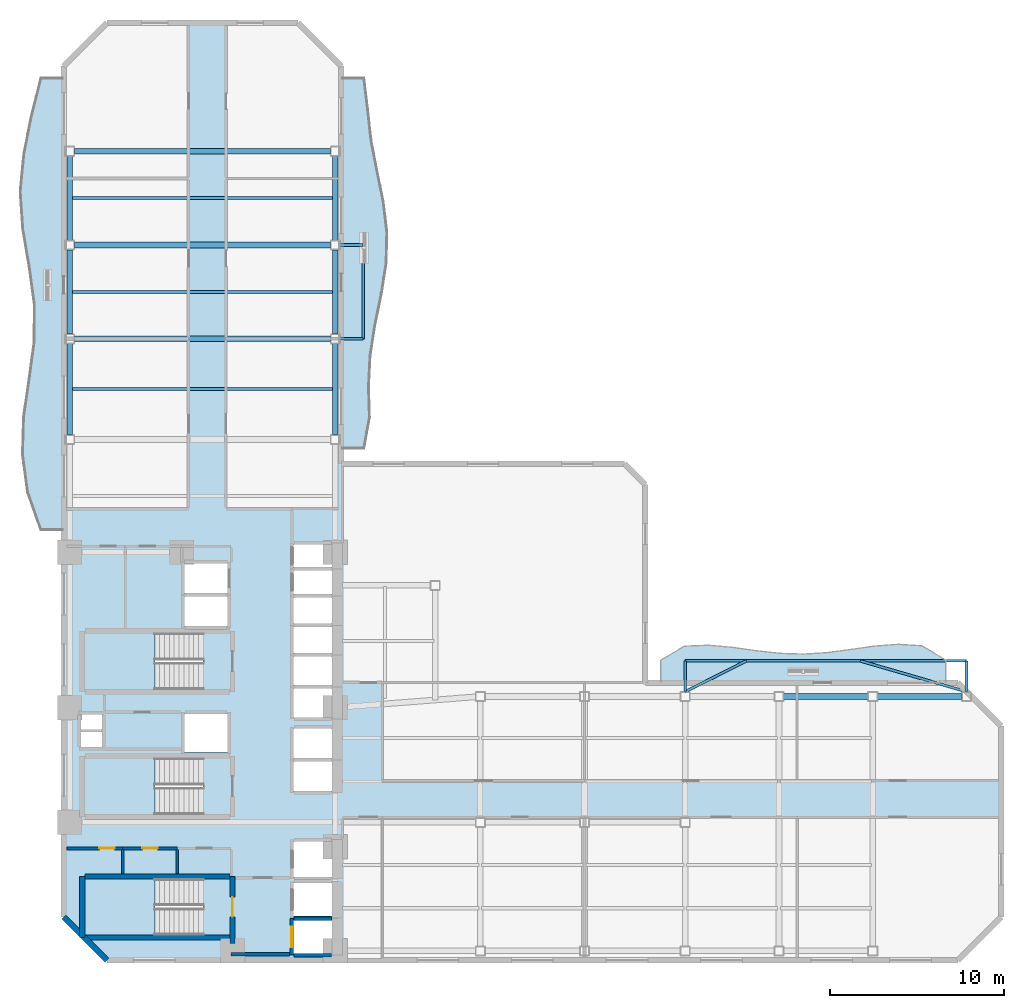
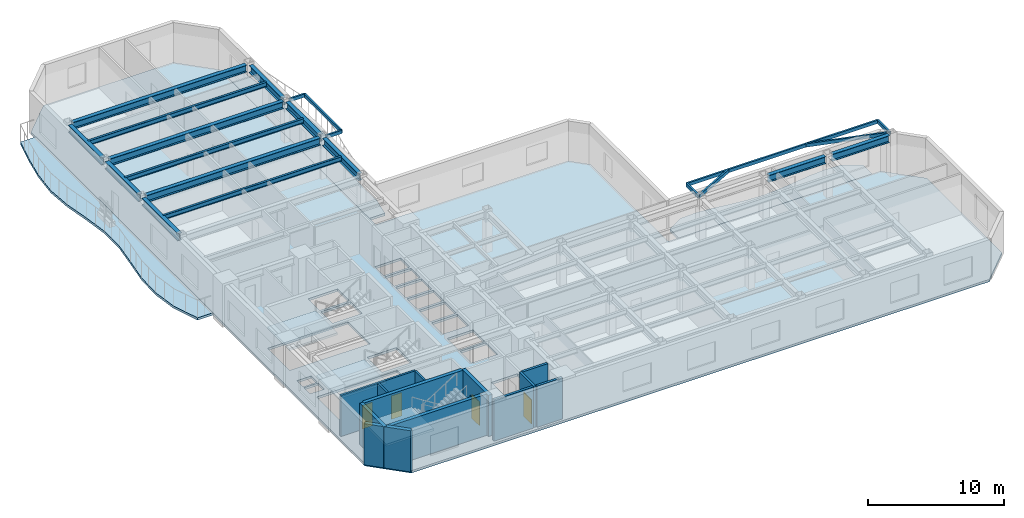
# One storey, part 2 of 10: 22 beams, 13 walls, 7 slabs, 4 doors, 4 openings, 3 elements without a shape of their own.
"""IFC4 building model written with IfcOpenShell, lengths in metres."""

from ifc_helpers import new_model, si_unit, direction, frame, frame_2d, origin, origin_2d, place, context, subcontext, project, spatial, polyline, rectangle, hollow_rectangle, i_section, outline, extrude, material, layer, layer_set, material_profile, profile_set, type_object, element, fill, aggregate, save


model = new_model("IFC4")

# Units and contexts
model_context = context("Model", 3, precision=1e-05, world=origin(), true_north=direction((0.0, 1.0)))
body_context = subcontext(model_context, "Body", "Model", "MODEL_VIEW")
ifc_project = project(units=[si_unit("LENGTHUNIT", "METRE"), si_unit("AREAUNIT", "SQUARE_METRE"), si_unit("VOLUMEUNIT", "CUBIC_METRE"), si_unit("PLANEANGLEUNIT", "RADIAN"), si_unit("MASSUNIT", "GRAM", prefix="KILO")], contexts=[model_context])

# Site, building, storey
site_placement = place(None, origin())
site = spatial("IfcSite", under=ifc_project, at=site_placement, CompositionType="ELEMENT")
building_placement = place(site_placement, origin())
building = spatial("IfcBuilding", under=site, at=building_placement, Name="Mawjaban Terraces University", CompositionType="ELEMENT")
storey_placement = place(building_placement, frame((0.0, 0.0, 34.89990234375)))
storey = spatial("IfcBuildingStorey", under=building, at=storey_placement, Name="L07", CompositionType="ELEMENT", Elevation=34.89990234375)

# Beams
ifc_material_1 = material(Name="Steel EN 10210-1 S355J2H", Category="steel")
ifc_material_profile_1 = material_profile(ifc_material_1, hollow_rectangle(XDim=0.14990234375, YDim=0.300048828125, WallThickness=0.012451171875, at=origin_2d()), Name="RHS300X150X12.5")
ifc_profile_set_1 = profile_set([ifc_material_profile_1], Name="Steel EN 10210-1 S355J2H")
beam_type_1 = type_object("IfcBeamType", Name="BalconyCantileverSpandrel_RHS", PredefinedType="SPANDREL", material=ifc_profile_set_1)
for number, where, z_axis, x_axis, name in (
    (1, (57.800048828125, 15.47509765625, 3.5400390625), (0.0, 1.0, 0.0), (-1.0, 0.0, 0.0), "L07 Exterior Outrigger BAL-L08-N.1"),
    (2, (74.0, 15.47509765625, 3.5400390625), (0.0, 1.0, 0.0), (-1.0, 0.0, 0.0), "L07 Exterior Outrigger BAL-L08-N.2"),
):
    element("IfcBeam", number, at=place(storey_placement, frame(where, z_axis=z_axis, x_axis=x_axis)), inside=storey, type_object=beam_type_1, Name=name, PredefinedType="SPANDREL", context=body_context, shape_type="SweptSolid", body=[
        extrude(hollow_rectangle(XDim=0.14990234375, YDim=0.300048828125, WallThickness=0.012451171875, at=origin_2d()), origin(), (0.0, 0.0, 1.0), 1.77490234375),
    ])
beam_1_placement = place(storey_placement, frame((57.800048828125, 17.25, 3.5400390625), z_axis=(1.0, 0.0, 0.0), x_axis=(0.0, 1.0, 0.0)))
element("IfcBeam", 3, at=beam_1_placement, inside=storey, type_object=beam_type_1, Name="L07 Exterior Edge Spandrel BAL-L08-N", PredefinedType="SPANDREL", context=body_context, shape_type="SweptSolid", body=[
    extrude(hollow_rectangle(XDim=0.14990234375, YDim=0.300048828125, WallThickness=0.012451171875, at=origin_2d()), origin(), (0.0, 0.0, 1.0), 16.199951171875),
])
beam_2_placement = place(storey_placement, frame((57.800048828125, 15.47509765625, 3.5400390625), z_axis=(0.892910985916, 0.450233240922, 0.0), x_axis=(-0.450233240922, 0.892910985916, 0.0)))
element("IfcBeam", 4, at=beam_2_placement, inside=storey, type_object=beam_type_1, Name="L07 Exterior Diagonal Strut BAL-L08-N.1", PredefinedType="SPANDREL", context=body_context, shape_type="SweptSolid", body=[
    extrude(hollow_rectangle(XDim=0.14990234375, YDim=0.300048828125, WallThickness=0.012451171875, at=origin_2d()), origin(), (0.0, 0.0, 1.0), 3.942138671875),
])
beam_3_placement = place(storey_placement, frame((74.0, 15.47509765625, 3.5400390625), z_axis=(-0.960426269064, 0.278534345624, 0.0), x_axis=(-0.278534345624, -0.960426269064, 0.0)))
element("IfcBeam", 5, at=beam_3_placement, inside=storey, type_object=beam_type_1, Name="L07 Exterior Diagonal Strut BAL-L08-N.2", PredefinedType="SPANDREL", context=body_context, shape_type="SweptSolid", body=[
    extrude(hollow_rectangle(XDim=0.14990234375, YDim=0.300048828125, WallThickness=0.012451171875, at=origin_2d()), origin(), (0.0, 0.0, 1.0), 6.372314453125),
])
for number, where, z_axis, x_axis, name in (
    (6, (37.925048828125, 35.800048828125, 3.5400390625), (1.0, 0.0, 0.0), (0.0, 1.0, 0.0), "L07 Exterior Outrigger BAL-L08-E.1"),
    (7, (37.925048828125, 41.199951171875, 3.5400390625), (1.0, 0.0, 0.0), (0.0, 1.0, 0.0), "L07 Exterior Outrigger BAL-L08-E.2"),
):
    element("IfcBeam", number, at=place(storey_placement, frame(where, z_axis=z_axis, x_axis=x_axis)), inside=storey, type_object=beam_type_1, Name=name, PredefinedType="SPANDREL", context=body_context, shape_type="SweptSolid", body=[
        extrude(hollow_rectangle(XDim=0.14990234375, YDim=0.300048828125, WallThickness=0.012451171875, at=origin_2d()), origin(), (0.0, 0.0, 1.0), 1.324951171875),
    ])
beam_4_placement = place(storey_placement, frame((39.25, 35.800048828125, 3.5400390625), z_axis=(0.0, 1.0, 0.0), x_axis=(-1.0, 0.0, 0.0)))
element("IfcBeam", 8, at=beam_4_placement, inside=storey, type_object=beam_type_1, Name="L07 Exterior Edge Spandrel BAL-L08-E", PredefinedType="SPANDREL", context=body_context, shape_type="SweptSolid", body=[
    extrude(hollow_rectangle(XDim=0.14990234375, YDim=0.300048828125, WallThickness=0.012451171875, at=origin_2d()), origin(), (0.0, 0.0, 1.0), 5.39990234375),
])
ifc_material_2 = material(Name="Steel ASTM A572 Grade 50", Category="steel")
ifc_material_profile_2 = material_profile(ifc_material_2, i_section(OverallWidth=0.3291015625, OverallDepth=0.635009765625, WebThickness=0.017822265625, FlangeThickness=0.031005859375, at=origin_2d()), Name="W610X241")
ifc_profile_set_2 = profile_set([ifc_material_profile_2], Name="Steel ASTM A572 Grade 50")
beam_type_2 = type_object("IfcBeamType", Name="Beam_B_W610X241", PredefinedType="BEAM", material=ifc_profile_set_2)
beam_5_placement = place(storey_placement, frame((63.47509765625, 15.199951171875, 3.373046875), z_axis=(1.0, 0.0, 0.0), x_axis=(0.0, 1.0, 0.0)))
element("IfcBeam", 9, at=beam_5_placement, inside=storey, type_object=beam_type_2, Name="L07 Beam BM-L07-EW-12", PredefinedType="BEAM", context=body_context, shape_type="SweptSolid", body=[
    extrude(i_section(OverallWidth=0.3291015625, OverallDepth=0.635009765625, WebThickness=0.017822265625, FlangeThickness=0.031005859375, at=origin_2d()), origin(), (0.0, 0.0, 1.0), 4.849853515625),
])
beam_6_placement = place(storey_placement, frame((68.875, 15.199951171875, 3.373046875), z_axis=(1.0, 0.0, 0.0), x_axis=(0.0, 1.0, 0.0)))
element("IfcBeam", 10, at=beam_6_placement, inside=storey, type_object=beam_type_2, Name="L07 Beam BM-L07-EW-13", PredefinedType="BEAM", context=body_context, shape_type="SweptSolid", body=[
    extrude(i_section(OverallWidth=0.3291015625, OverallDepth=0.635009765625, WebThickness=0.017822265625, FlangeThickness=0.031005859375, at=origin_2d()), origin(), (0.0, 0.0, 1.0), 4.85009765625),
])
for number, where, z_axis, x_axis, name in (
    (11, (22.625, 35.800048828125, 3.373046875), (1.0, 0.0, 0.0), (0.0, 1.0, 0.0), "L07 Beam BM-L07-EW-16"),
    (12, (22.625, 41.199951171875, 3.373046875), (1.0, 0.0, 0.0), (0.0, 1.0, 0.0), "L07 Beam BM-L07-EW-17"),
    (13, (22.625, 46.60009765625, 3.373046875), (1.0, 0.0, 0.0), (0.0, 1.0, 0.0), "L07 Beam BM-L07-EW-18"),
):
    element("IfcBeam", number, at=place(storey_placement, frame(where, z_axis=z_axis, x_axis=x_axis)), inside=storey, type_object=beam_type_2, Name=name, PredefinedType="BEAM", context=body_context, shape_type="SweptSolid", body=[
        extrude(i_section(OverallWidth=0.3291015625, OverallDepth=0.635009765625, WebThickness=0.017822265625, FlangeThickness=0.031005859375, at=origin_2d()), origin(), (0.0, 0.0, 1.0), 14.75),
    ])
beam_7_placement = place(storey_placement, frame((22.35009765625, 30.27490234375, 3.373046875), z_axis=(0.0, 1.0, 0.0), x_axis=(-1.0, 0.0, 0.0)))
element("IfcBeam", 14, at=beam_7_placement, inside=storey, type_object=beam_type_2, Name="L07 Beam BM-L07-NS-04", PredefinedType="BEAM", context=body_context, shape_type="SweptSolid", body=[
    extrude(i_section(OverallWidth=0.3291015625, OverallDepth=0.635009765625, WebThickness=0.017822265625, FlangeThickness=0.031005859375, at=origin_2d()), origin(), (0.0, 0.0, 1.0), 5.25),
])
beam_8_placement = place(storey_placement, frame((22.35009765625, 36.074951171875, 3.373046875), z_axis=(0.0, 1.0, 0.0), x_axis=(-1.0, 0.0, 0.0)))
element("IfcBeam", 15, at=beam_8_placement, inside=storey, type_object=beam_type_2, Name="L07 Beam BM-L07-NS-05", PredefinedType="BEAM", context=body_context, shape_type="SweptSolid", body=[
    extrude(i_section(OverallWidth=0.3291015625, OverallDepth=0.635009765625, WebThickness=0.017822265625, FlangeThickness=0.031005859375, at=origin_2d()), origin(), (0.0, 0.0, 1.0), 4.85009765625),
])
beam_9_placement = place(storey_placement, frame((22.35009765625, 41.47509765625, 3.373046875), z_axis=(0.0, 1.0, 0.0), x_axis=(-1.0, 0.0, 0.0)))
element("IfcBeam", 16, at=beam_9_placement, inside=storey, type_object=beam_type_2, Name="L07 Beam BM-L07-NS-06", PredefinedType="BEAM", context=body_context, shape_type="SweptSolid", body=[
    extrude(i_section(OverallWidth=0.3291015625, OverallDepth=0.635009765625, WebThickness=0.017822265625, FlangeThickness=0.031005859375, at=origin_2d()), origin(), (0.0, 0.0, 1.0), 4.849853515625),
])
beam_10_placement = place(storey_placement, frame((37.64990234375, 30.27490234375, 3.373046875), z_axis=(0.0, 1.0, 0.0), x_axis=(-1.0, 0.0, 0.0)))
element("IfcBeam", 17, at=beam_10_placement, inside=storey, type_object=beam_type_2, Name="L07 Beam BM-L07-NS-11", PredefinedType="BEAM", context=body_context, shape_type="SweptSolid", body=[
    extrude(i_section(OverallWidth=0.3291015625, OverallDepth=0.635009765625, WebThickness=0.017822265625, FlangeThickness=0.031005859375, at=origin_2d()), origin(), (0.0, 0.0, 1.0), 5.25),
])
beam_11_placement = place(storey_placement, frame((37.64990234375, 36.074951171875, 3.373046875), z_axis=(0.0, 1.0, 0.0), x_axis=(-1.0, 0.0, 0.0)))
element("IfcBeam", 18, at=beam_11_placement, inside=storey, type_object=beam_type_2, Name="L07 Beam BM-L07-NS-12", PredefinedType="BEAM", context=body_context, shape_type="SweptSolid", body=[
    extrude(i_section(OverallWidth=0.3291015625, OverallDepth=0.635009765625, WebThickness=0.017822265625, FlangeThickness=0.031005859375, at=origin_2d()), origin(), (0.0, 0.0, 1.0), 4.85009765625),
])
beam_12_placement = place(storey_placement, frame((37.64990234375, 41.47509765625, 3.373046875), z_axis=(0.0, 1.0, 0.0), x_axis=(-1.0, 0.0, 0.0)))
element("IfcBeam", 19, at=beam_12_placement, inside=storey, type_object=beam_type_2, Name="L07 Beam BM-L07-NS-13", PredefinedType="BEAM", context=body_context, shape_type="SweptSolid", body=[
    extrude(i_section(OverallWidth=0.3291015625, OverallDepth=0.635009765625, WebThickness=0.017822265625, FlangeThickness=0.031005859375, at=origin_2d()), origin(), (0.0, 0.0, 1.0), 4.849853515625),
])
ifc_material_profile_3 = material_profile(ifc_material_2, i_section(OverallWidth=0.179931640625, OverallDepth=0.4130859375, WebThickness=0.009765625, FlangeThickness=0.01611328125, at=origin_2d()), Name="W410X74")
ifc_profile_set_3 = profile_set([ifc_material_profile_3], Name="Steel ASTM A572 Grade 50")
beam_type_3 = type_object("IfcBeamType", Name="Beam_J_W410X74", PredefinedType="JOIST", material=ifc_profile_set_3)
for number, where, z_axis, x_axis, name in (
    (20, (22.429931640625, 32.89990234375, 3.484130859375), (1.0, 0.0, 0.0), (0.0, 1.0, 0.0), "L07 Composite Joist JST-L07-23"),
    (21, (22.429931640625, 38.5, 3.484130859375), (1.0, 0.0, 0.0), (0.0, 1.0, 0.0), "L07 Composite Joist JST-L07-24"),
    (22, (22.429931640625, 43.89990234375, 3.484130859375), (1.0, 0.0, 0.0), (0.0, 1.0, 0.0), "L07 Composite Joist JST-L07-25"),
):
    element("IfcBeam", number, at=place(storey_placement, frame(where, z_axis=z_axis, x_axis=x_axis)), inside=storey, type_object=beam_type_3, Name=name, PredefinedType="JOIST", context=body_context, shape_type="SweptSolid", body=[
        extrude(i_section(OverallWidth=0.179931640625, OverallDepth=0.4130859375, WebThickness=0.009765625, FlangeThickness=0.01611328125, at=origin_2d()), origin(), (0.0, 0.0, 1.0), 15.14013671875),
    ])

# Slabs
ifc_material_3 = material(Name="Concrete C40/50", Category="concrete")
ifc_layer_1 = layer(ifc_material_3, 0.2099609375)
ifc_layer_set_1 = layer_set([ifc_layer_1], Name="Concrete C40/50")
slab_type_1 = type_object("IfcSlabType", Name="BalconySlab_210_Ext", PredefinedType="FLOOR", material=ifc_layer_set_1)
slab_1_placement = place(storey_placement, frame((0.0, 0.0, -0.2099609375)))
element("IfcSlab", 23, at=slab_1_placement, inside=storey, type_object=slab_type_1, Name="L07 Planted Balcony Slab west", PredefinedType="FLOOR", context=body_context, shape_type="SweptSolid", body=[
    extrude(outline(polyline([(22.010009765625, 24.800048828125), (22.010009765625, 50.800048828125), (20.699951171875, 50.800048828125), (20.154052734375, 48.633056640625), (19.722900390625, 46.467041015625), (19.512939453125, 44.300048828125), (19.656982421875, 42.133056640625), (20.027099609375, 39.967041015625), (20.323974609375, 37.800048828125), (20.31494140625, 35.633056640625), (20.02197265625, 33.467041015625), (19.7041015625, 31.300048828125), (19.64404296875, 29.133056640625), (19.93701171875, 26.967041015625), (20.699951171875, 24.800048828125), (22.010009765625, 24.800048828125)])), origin(), (0.0, 0.0, 1.0), 0.2099609375),
])
slab_2_placement = place(storey_placement, frame((0.0, 0.0, -0.2099609375)))
element("IfcSlab", 24, at=slab_2_placement, inside=storey, type_object=slab_type_1, Name="L07 Planted Balcony Slab inner_north", PredefinedType="FLOOR", context=body_context, shape_type="SweptSolid", body=[
    extrude(outline(polyline([(56.39990234375, 15.989990234375), (72.800048828125, 15.989990234375), (72.800048828125, 17.300048828125), (71.43310546875, 18.118896484375), (70.06689453125, 18.2041015625), (68.699951171875, 18.10009765625), (67.3330078125, 17.906982421875), (65.967041015625, 17.72509765625), (64.60009765625, 17.638916015625), (63.23291015625, 17.68505859375), (61.866943359375, 17.840087890625), (60.5, 18.030029296875), (59.133056640625, 18.152099609375), (57.76708984375, 18.096923828125), (56.39990234375, 17.300048828125), (56.39990234375, 15.989990234375)])), origin(), (0.0, 0.0, 1.0), 0.2099609375),
])
slab_3_placement = place(storey_placement, frame((0.0, 0.0, -0.2099609375)))
element("IfcSlab", 25, at=slab_3_placement, inside=storey, type_object=slab_type_1, Name="L07 Planted Balcony Slab inner_east", PredefinedType="FLOOR", context=body_context, shape_type="SweptSolid", body=[
    extrude(outline(polyline([(39.300048828125, 29.5), (39.623046875, 31.27490234375), (39.571044921875, 33.050048828125), (39.657958984375, 34.824951171875), (39.93603515625, 36.60009765625), (40.302001953125, 38.375), (40.5810546875, 40.14990234375), (40.626953125, 41.925048828125), (40.4150390625, 43.699951171875), (40.052001953125, 45.47509765625), (39.7099609375, 47.25), (39.51611328125, 49.02490234375), (39.300048828125, 50.800048828125), (37.989990234375, 50.800048828125), (37.989990234375, 29.5), (39.300048828125, 29.5)])), origin(), (0.0, 0.0, 1.0), 0.2099609375),
])
ifc_layer_2 = layer(ifc_material_3, 0.2099609375)
ifc_layer_set_2 = layer_set([ifc_layer_2], Name="Concrete C40/50")
slab_type_2 = type_object("IfcSlabType", Name="CompositeSlab_210", PredefinedType="FLOOR", material=ifc_layer_set_2)
slab_4_placement = place(storey_placement, frame((0.0, 0.0, -0.2099609375)))
element("IfcSlab", 26, at=slab_4_placement, inside=storey, type_object=slab_type_2, Name="L07 Primary Structural Slab", PredefinedType="FLOOR", context=body_context, shape_type="SweptSolid", body=[
    extrude(outline(polyline([(24.5, 0.0), (73.5, 0.0), (76.0, 2.5), (76.0, 13.5), (73.5, 16.0), (55.5, 16.0), (55.5, 27.39990234375), (54.300048828125, 28.60009765625), (38.0, 28.60009765625), (38.0, 51.5), (35.5, 54.0), (24.5, 54.0), (22.0, 51.5), (22.0, 2.5), (24.5, 0.0)]), holes=[polyline([(30.014892578125, 4.699951171875), (23.199951171875, 4.699951171875), (23.199951171875, 1.449951171875), (30.014892578125, 1.449951171875), (30.014892578125, 4.699951171875)]), polyline([(30.014892578125, 18.85009765625), (23.199951171875, 18.85009765625), (23.199951171875, 15.60009765625), (30.014892578125, 15.60009765625), (30.014892578125, 18.85009765625)]), polyline([(30.014892578125, 11.64990234375), (23.199951171875, 11.64990234375), (23.199951171875, 8.39990234375), (30.014892578125, 8.39990234375), (30.014892578125, 11.64990234375)]), polyline([(35.25, 0.39990234375), (37.449951171875, 0.39990234375), (37.449951171875, 2.300048828125), (35.25, 2.300048828125), (35.25, 0.39990234375)]), polyline([(35.25, 2.550048828125), (37.449951171875, 2.550048828125), (37.449951171875, 4.449951171875), (35.25, 4.449951171875), (35.25, 2.550048828125)]), polyline([(35.25, 4.800048828125), (37.449951171875, 4.800048828125), (37.449951171875, 6.85009765625), (35.25, 6.85009765625), (35.25, 4.800048828125)]), polyline([(35.25, 9.75), (37.449951171875, 9.75), (37.449951171875, 11.449951171875), (35.25, 11.449951171875), (35.25, 9.75)]), polyline([(35.25, 11.64990234375), (37.449951171875, 11.64990234375), (37.449951171875, 13.35009765625), (35.25, 13.35009765625), (35.25, 11.64990234375)]), polyline([(28.949951171875, 12.0), (31.449951171875, 12.0), (31.449951171875, 14.199951171875), (28.949951171875, 14.199951171875), (28.949951171875, 12.0)]), polyline([(35.25, 14.0), (37.449951171875, 14.0), (37.449951171875, 15.64990234375), (35.25, 15.64990234375), (35.25, 14.0)]), polyline([(35.25, 15.85009765625), (37.449951171875, 15.85009765625), (37.449951171875, 17.5), (35.25, 17.5), (35.25, 15.85009765625)]), polyline([(35.25, 17.699951171875), (37.449951171875, 17.699951171875), (37.449951171875, 19.199951171875), (35.25, 19.199951171875), (35.25, 17.699951171875)]), polyline([(35.25, 19.39990234375), (37.449951171875, 19.39990234375), (37.449951171875, 20.89990234375), (35.25, 20.89990234375), (35.25, 19.39990234375)]), polyline([(28.949951171875, 19.25), (31.449951171875, 19.25), (31.449951171875, 20.949951171875), (28.949951171875, 20.949951171875), (28.949951171875, 19.25)]), polyline([(35.25, 21.10009765625), (37.449951171875, 21.10009765625), (37.449951171875, 22.449951171875), (35.25, 22.449951171875), (35.25, 21.10009765625)]), polyline([(35.25, 22.64990234375), (37.449951171875, 22.64990234375), (37.449951171875, 23.949951171875), (35.25, 23.949951171875), (35.25, 22.64990234375)]), polyline([(28.949951171875, 21.14990234375), (31.449951171875, 21.14990234375), (31.449951171875, 22.85009765625), (28.949951171875, 22.85009765625), (28.949951171875, 21.14990234375)]), polyline([(23.0, 12.25), (24.199951171875, 12.25), (24.199951171875, 13.14990234375), (23.0, 13.14990234375), (23.0, 12.25)]), polyline([(23.0, 13.300048828125), (24.199951171875, 13.300048828125), (24.199951171875, 14.179931640625), (23.0, 14.179931640625), (23.0, 13.300048828125)])]), origin(), (0.0, 0.0, 1.0), 0.2099609375),
])

# Stair, slab
stair_type = type_object("IfcStairType", Name="Stair_Core1550_H39", PredefinedType="HALF_TURN_STAIR", material=ifc_material_3)
stair_1_placement = place(storey_placement, origin())
stair_1 = element("IfcStair", 27, at=stair_1_placement, inside=storey, type_object=stair_type, Name="L07 Core Exit Stair 1", PredefinedType="HALF_TURN_STAIR")
ifc_layer_3 = layer(ifc_material_3, 0.199951171875)
ifc_layer_set_3 = layer_set([ifc_layer_3], Name="Concrete C40/50")
slab_type_3 = type_object("IfcSlabType", Name="StairLandingSlab_200", PredefinedType="LANDING", material=ifc_layer_set_3)
slab_5_placement = place(storey_placement, frame((0.0, 0.0, 1.75)))
slab_5 = element("IfcSlab", 28, at=slab_5_placement, type_object=slab_type_3, Name="ST-1 landing 1", PredefinedType="LANDING", context=body_context, shape_type="SweptSolid", body=[
    extrude(outline(polyline([(27.25, 4.699951171875), (23.199951171875, 4.699951171875), (23.199951171875, 1.449951171875), (27.25, 1.449951171875), (27.25, 4.699951171875)])), origin(), (0.0, 0.0, 1.0), 0.2001953125),
])
aggregate(stair_1, [slab_5])

stair_2_placement = place(storey_placement, origin())
stair_2 = element("IfcStair", 29, at=stair_2_placement, inside=storey, type_object=stair_type, Name="L07 Core Exit Stair 2", PredefinedType="HALF_TURN_STAIR")
slab_6_placement = place(storey_placement, frame((0.0, 0.0, 1.75)))
slab_6 = element("IfcSlab", 30, at=slab_6_placement, type_object=slab_type_3, Name="ST-2 landing 1", PredefinedType="LANDING", context=body_context, shape_type="SweptSolid", body=[
    extrude(outline(polyline([(27.25, 18.85009765625), (23.199951171875, 18.85009765625), (23.199951171875, 15.60009765625), (27.25, 15.60009765625), (27.25, 18.85009765625)])), origin(), (0.0, 0.0, 1.0), 0.2001953125),
])
aggregate(stair_2, [slab_6])

stair_3_placement = place(storey_placement, origin())
stair_3 = element("IfcStair", 31, at=stair_3_placement, inside=storey, type_object=stair_type, Name="L07 Core Exit Stair 3", PredefinedType="HALF_TURN_STAIR")
slab_7_placement = place(storey_placement, frame((0.0, 0.0, 1.75)))
slab_7 = element("IfcSlab", 32, at=slab_7_placement, type_object=slab_type_3, Name="ST-3 landing 1", PredefinedType="LANDING", context=body_context, shape_type="SweptSolid", body=[
    extrude(outline(polyline([(27.25, 11.64990234375), (23.199951171875, 11.64990234375), (23.199951171875, 8.39990234375), (27.25, 8.39990234375), (27.25, 11.64990234375)])), origin(), (0.0, 0.0, 1.0), 0.2001953125),
])
aggregate(stair_3, [slab_7])

# Wall, opening, door
ifc_material_4 = material(Name="Fire-rated gypsum board on steel stud", Category="steel")
ifc_layer_4 = layer(ifc_material_4, 0.159912109375)
ifc_layer_set_4 = layer_set([ifc_layer_4], Name="Fire-rated gypsum board on steel stud")
wall_type_1 = type_object("IfcWallType", Name="CorridorPartition_160", PredefinedType="PARTITIONING", material=ifc_layer_set_4)
wall_1_placement = place(storey_placement, frame((22.199951171875, 6.449951171875, 0.0), z_axis=(0.0, 0.0, 1.0), x_axis=(1.0, 0.0, 0.0)))
wall_1 = element("IfcWall", 33, at=wall_1_placement, inside=storey, type_object=wall_type_1, Name="L07 Core Washroom Lobby Partition 1", PredefinedType="PARTITIONING", context=body_context, shape_type="SweptSolid", body=[
    extrude(rectangle(XDim=3.199951171875, YDim=0.159912109375, at=frame_2d((1.60009765625, 0.0))), origin(), (0.0, 0.0, 1.0), 3.690185546875),
])
opening_1_placement = place(wall_1_placement, frame((1.860107421875, 0.0, 0.0)))
opening_1 = element("IfcOpeningElement", 34, at=opening_1_placement, cuts=wall_1, Name="Opening ID-088", PredefinedType="OPENING", context=body_context, shape_type="SweptSolid", body=[
    extrude(rectangle(XDim=0.8798828125, YDim=2.10009765625, at=frame_2d((0.43994140625, 1.050048828125))), frame((0.0, 0.08984375, 0.0), z_axis=(0.0, -1.0, 0.0), x_axis=(1.0, 0.0, 0.0)), (0.0, 0.0, 1.0), 0.179931640625),
])
ifc_material_5 = material(Name="Powder-coated steel frame and solid acoustic timber leaf", Category="steel")
door_type_1 = type_object("IfcDoorType", Name="ToiletDoor_880x2100", OperationType="NOTDEFINED", PredefinedType="DOOR", material=ifc_material_5)
door_1_placement = place(opening_1_placement, origin())
door_1 = element("IfcDoor", 35, at=door_1_placement, inside=storey, type_object=door_type_1, Name="L07 Male Toilet Door", OperationType="SINGLE_SWING_RIGHT", OverallHeight=2.10009765625, OverallWidth=0.8798828125, PredefinedType="DOOR", context=body_context, shape_type="SweptSolid", body=[
    extrude(rectangle(XDim=0.8798828125, YDim=2.10009765625, at=frame_2d((0.43994140625, 1.050048828125))), frame((0.0, 0.02490234375, 0.0), z_axis=(0.0, -1.0, 0.0), x_axis=(1.0, 0.0, 0.0)), (0.0, 0.0, 1.0), 0.050048828125),
])
fill(opening_1, door_1)

wall_2_placement = place(storey_placement, frame((25.39990234375, 6.449951171875, 0.0), z_axis=(0.0, 0.0, 1.0), x_axis=(1.0, 0.0, 0.0)))
wall_2 = element("IfcWall", 36, at=wall_2_placement, inside=storey, type_object=wall_type_1, Name="L07 Core Washroom Lobby Partition 4", PredefinedType="PARTITIONING", context=body_context, shape_type="SweptSolid", body=[
    extrude(rectangle(XDim=3.150146484375, YDim=0.159912109375, at=frame_2d((1.5751953125, 0.0))), origin(), (0.0, 0.0, 1.0), 3.690185546875),
])
opening_2_placement = place(wall_2_placement, frame((1.135009765625, 0.0, 0.0)))
opening_2 = element("IfcOpeningElement", 37, at=opening_2_placement, cuts=wall_2, Name="Opening ID-088", PredefinedType="OPENING", context=body_context, shape_type="SweptSolid", body=[
    extrude(rectangle(XDim=0.8798828125, YDim=2.10009765625, at=frame_2d((0.43994140625, 1.050048828125))), frame((0.0, 0.08984375, 0.0), z_axis=(0.0, -1.0, 0.0), x_axis=(1.0, 0.0, 0.0)), (0.0, 0.0, 1.0), 0.179931640625),
])
door_2_placement = place(opening_2_placement, origin())
door_2 = element("IfcDoor", 38, at=door_2_placement, inside=storey, type_object=door_type_1, Name="L07 Female Toilet Door", OperationType="SINGLE_SWING_LEFT", OverallHeight=2.10009765625, OverallWidth=0.8798828125, PredefinedType="DOOR", context=body_context, shape_type="SweptSolid", body=[
    extrude(rectangle(XDim=0.8798828125, YDim=2.10009765625, at=frame_2d((0.43994140625, 1.050048828125))), frame((0.0, 0.02490234375, 0.0), z_axis=(0.0, -1.0, 0.0), x_axis=(1.0, 0.0, 0.0)), (0.0, 0.0, 1.0), 0.050048828125),
])
fill(opening_2, door_2)

# Wall
ifc_material_6 = material(Name="Insulated terracotta rainscreen on concrete backup C40/50", Category="masonry")
ifc_layer_5 = layer(ifc_material_6, 0.320068359375)
ifc_layer_set_5 = layer_set([ifc_layer_5], Name="Insulated terracotta rainscreen on concrete backup C40/50")
wall_type_2 = type_object("IfcWallType", Name="ExtTerracottaWall_320", PredefinedType="SOLIDWALL", material=ifc_layer_set_5)
wall_3_placement = place(storey_placement, frame((22.0, 2.5, 0.0), z_axis=(0.0, 0.0, 1.0), x_axis=(0.707106781187, -0.707106781187, 0.0)))
element("IfcWall", 39, at=wall_3_placement, inside=storey, type_object=wall_type_2, Name="L07 Exterior Terracotta Wall 14", PredefinedType="SOLIDWALL", context=body_context, shape_type="SweptSolid", body=[
    extrude(rectangle(XDim=3.53564453125, YDim=0.320068359375, at=frame_2d((1.767822265625, 0.0))), origin(), (0.0, 0.0, 1.0), 3.690185546875),
])

# Wall, opening, door
ifc_layer_6 = layer(ifc_material_3, 0.199951171875)
ifc_layer_set_6 = layer_set([ifc_layer_6], Name="Concrete C40/50")
wall_type_3 = type_object("IfcWallType", Name="FireLobbyWall_200", PredefinedType="SOLIDWALL", material=ifc_layer_set_6)
wall_4_placement = place(storey_placement, frame((35.14990234375, 2.39990234375, 0.0), z_axis=(0.0, 0.0, 1.0), x_axis=(0.0, -1.0, 0.0)))
wall_4 = element("IfcWall", 40, at=wall_4_placement, inside=storey, type_object=wall_type_3, Name="L07 Lift FL-1 Hoistway Wall West", PredefinedType="SOLIDWALL", context=body_context, shape_type="SweptSolid", body=[
    extrude(rectangle(XDim=2.099853515625, YDim=0.199951171875, at=frame_2d((1.0498046875, 0.0))), origin(), (0.0, 0.0, 1.0), 3.690185546875),
])
opening_3_placement = place(wall_4_placement, frame((0.449951171875, 0.0, 0.0)))
opening_3 = element("IfcOpeningElement", 41, at=opening_3_placement, cuts=wall_4, Name="Opening LD-FL-1", PredefinedType="OPENING", context=body_context, shape_type="SweptSolid", body=[
    extrude(rectangle(XDim=1.199951171875, YDim=2.14990234375, at=frame_2d((0.60009765625, 1.074951171875))), frame((0.0, 0.10986328125, 0.0), z_axis=(0.0, -1.0, 0.0), x_axis=(1.0, 0.0, 0.0)), (0.0, 0.0, 1.0), 0.219970703125),
])
ifc_material_7 = material(Name="Powder-coated steel frame and fire-rated steel-faced leaf", Category="steel")
door_type_2 = type_object("IfcDoorType", Name="LiftLandingFSAE_1200x2150", OperationType="NOTDEFINED", PredefinedType="DOOR", material=ifc_material_7)
door_3_placement = place(opening_3_placement, origin())
door_3 = element("IfcDoor", 42, at=door_3_placement, inside=storey, type_object=door_type_2, Name="L07 Lift FL-1 Sliding Landing Door", OperationType="DOUBLE_DOOR_SLIDING", OverallHeight=2.14990234375, OverallWidth=1.199951171875, PredefinedType="DOOR", context=body_context, shape_type="SweptSolid", body=[
    extrude(rectangle(XDim=1.199951171875, YDim=2.14990234375, at=frame_2d((0.60009765625, 1.074951171875))), frame((0.0, 0.02490234375, 0.0), z_axis=(0.0, -1.0, 0.0), x_axis=(1.0, 0.0, 0.0)), (0.0, 0.0, 1.0), 0.050048828125),
])
fill(opening_3, door_3)

# Walls
for number, where, z_axis, x_axis, name in (
    (43, (35.280029296875, 0.300048828125, 0.0), (0.0, 0.0, 1.0), (1.0, 0.0, 0.0), "L07 Lift FL-1 Hoistway Wall South"),
    (44, (37.419921875, 2.39990234375, 0.0), (0.0, 0.0, 1.0), (-1.0, 0.0, 0.0), "L07 Lift FL-1 Hoistway Wall North"),
):
    element("IfcWall", number, at=place(storey_placement, frame(where, z_axis=z_axis, x_axis=x_axis)), inside=storey, type_object=wall_type_3, Name=name, PredefinedType="SOLIDWALL", context=body_context, shape_type="SweptSolid", body=[
        extrude(rectangle(XDim=2.139892578125, YDim=0.199951171875, at=frame_2d((1.06982421875, 0.0))), origin(), (0.0, 0.0, 1.0), 3.690185546875),
    ])
wall_5_placement = place(storey_placement, frame((31.64990234375, 0.35009765625, 0.0), z_axis=(0.0, 0.0, 1.0), x_axis=(1.0, 0.0, 0.0)))
element("IfcWall", 45, at=wall_5_placement, inside=storey, type_object=wall_type_3, Name="L07 Firefighting Lift Lobby Partition 12", PredefinedType="SOLIDWALL", context=body_context, shape_type="SweptSolid", body=[
    extrude(rectangle(XDim=3.3701171875, YDim=0.199951171875, at=frame_2d((1.68505859375, 0.0))), origin(), (0.0, 0.0, 1.0), 3.690185546875),
])
ifc_material_8 = material(Name="Concrete C60/75", Category="concrete")
ifc_layer_7 = layer(ifc_material_8, 0.300048828125)
ifc_layer_set_7 = layer_set([ifc_layer_7], Name="Concrete C60/75")
wall_type_4 = type_object("IfcWallType", Name="StairShaftWall_300", PredefinedType="SHEAR", material=ifc_layer_set_7)
wall_6_placement = place(storey_placement, frame((31.580078125, 4.830078125, 0.0), z_axis=(0.0, 0.0, 1.0), x_axis=(-1.0, 0.0, 0.0)))
element("IfcWall", 46, at=wall_6_placement, inside=storey, type_object=wall_type_4, Name="L07 ST-1 Stair Shaft Wall 1", PredefinedType="SHEAR", context=body_context, shape_type="SweptSolid", body=[
    extrude(rectangle(XDim=8.360107421875, YDim=0.300048828125, at=frame_2d((4.18017578125, 0.0))), origin(), (0.0, 0.0, 1.0), 3.690185546875),
])
wall_7_placement = place(storey_placement, frame((23.070068359375, 4.830078125, 0.0), z_axis=(0.0, 0.0, 1.0), x_axis=(0.0, -1.0, 0.0)))
element("IfcWall", 47, at=wall_7_placement, inside=storey, type_object=wall_type_4, Name="L07 ST-1 Stair Shaft Wall 2", PredefinedType="SHEAR", context=body_context, shape_type="SweptSolid", body=[
    extrude(rectangle(XDim=3.510009765625, YDim=0.300048828125, at=frame_2d((1.7548828125, 0.0))), origin(), (0.0, 0.0, 1.0), 3.690185546875),
])
wall_8_placement = place(storey_placement, frame((23.219970703125, 1.320068359375, 0.0), z_axis=(0.0, 0.0, 1.0), x_axis=(1.0, 0.0, 0.0)))
element("IfcWall", 48, at=wall_8_placement, inside=storey, type_object=wall_type_4, Name="L07 ST-1 Stair Shaft Wall 3", PredefinedType="SHEAR", context=body_context, shape_type="SweptSolid", body=[
    extrude(rectangle(XDim=8.360107421875, YDim=0.300048828125, at=frame_2d((4.18017578125, 0.0))), origin(), (0.0, 0.0, 1.0), 3.690185546875),
])

# Wall, opening, door
wall_9_placement = place(storey_placement, frame((31.72998046875, 0.9599609375, 0.0), z_axis=(0.0, 0.0, 1.0), x_axis=(0.0, 1.0, 0.0)))
wall_9 = element("IfcWall", 49, at=wall_9_placement, inside=storey, type_object=wall_type_4, Name="L07 ST-1 Stair Shaft Wall 4", PredefinedType="SHEAR", context=body_context, shape_type="SweptSolid", body=[
    extrude(rectangle(XDim=3.8701171875, YDim=0.300048828125, at=frame_2d((1.93505859375, 0.0))), origin(), (0.0, 0.0, 1.0), 3.690185546875),
])
opening_4_placement = place(wall_9_placement, frame((1.5400390625, 0.0, 0.0)))
opening_4 = element("IfcOpeningElement", 50, at=opening_4_placement, cuts=wall_9, Name="Opening FD-115", PredefinedType="OPENING", context=body_context, shape_type="SweptSolid", body=[
    extrude(rectangle(XDim=1.14990234375, YDim=2.14990234375, at=frame_2d((0.574951171875, 1.074951171875))), frame((0.0, 0.159912109375, 0.0), z_axis=(0.0, -1.0, 0.0), x_axis=(1.0, 0.0, 0.0)), (0.0, 0.0, 1.0), 0.320068359375),
])
door_type_3 = type_object("IfcDoorType", Name="FireStairDoor_1150x2150", OperationType="NOTDEFINED", PredefinedType="DOOR", material=ifc_material_7)
door_4_placement = place(opening_4_placement, origin())
door_4 = element("IfcDoor", 51, at=door_4_placement, inside=storey, type_object=door_type_3, Name="L07 ST-1 Pressurised Stair Fire Door", OperationType="SINGLE_SWING_RIGHT", OverallHeight=2.14990234375, OverallWidth=1.14990234375, PredefinedType="DOOR", context=body_context, shape_type="SweptSolid", body=[
    extrude(rectangle(XDim=1.14990234375, YDim=2.14990234375, at=frame_2d((0.574951171875, 1.074951171875))), frame((0.0, 0.02490234375, 0.0), z_axis=(0.0, -1.0, 0.0), x_axis=(1.0, 0.0, 0.0)), (0.0, 0.0, 1.0), 0.050048828125),
])
fill(opening_4, door_4)

# Walls
ifc_material_9 = material(Name="Cement-board wet-room partition", Category="masonry")
ifc_layer_8 = layer(ifc_material_9, 0.135009765625)
ifc_layer_set_8 = layer_set([ifc_layer_8], Name="Cement-board wet-room partition")
wall_type_5 = type_object("IfcWallType", Name="WetRoomPartition_135", PredefinedType="PARTITIONING", material=ifc_layer_set_8)
for number, where, z_axis, x_axis, name in (
    (52, (25.39990234375, 5.010009765625, 0.0), (0.0, 0.0, 1.0), (0.0, 1.0, 0.0), "L07 Male Toilet Partition 29"),
    (53, (28.550048828125, 5.010009765625, 0.0), (0.0, 0.0, 1.0), (0.0, 1.0, 0.0), "L07 Female Toilet Partition 31"),
):
    element("IfcWall", number, at=place(storey_placement, frame(where, z_axis=z_axis, x_axis=x_axis)), inside=storey, type_object=wall_type_5, Name=name, PredefinedType="PARTITIONING", context=body_context, shape_type="SweptSolid", body=[
        extrude(rectangle(XDim=1.364990234375, YDim=0.135009765625, at=frame_2d((0.6826171875, 0.0))), origin(), (0.0, 0.0, 1.0), 3.690185546875),
    ])

save(model, "model.ifc")
